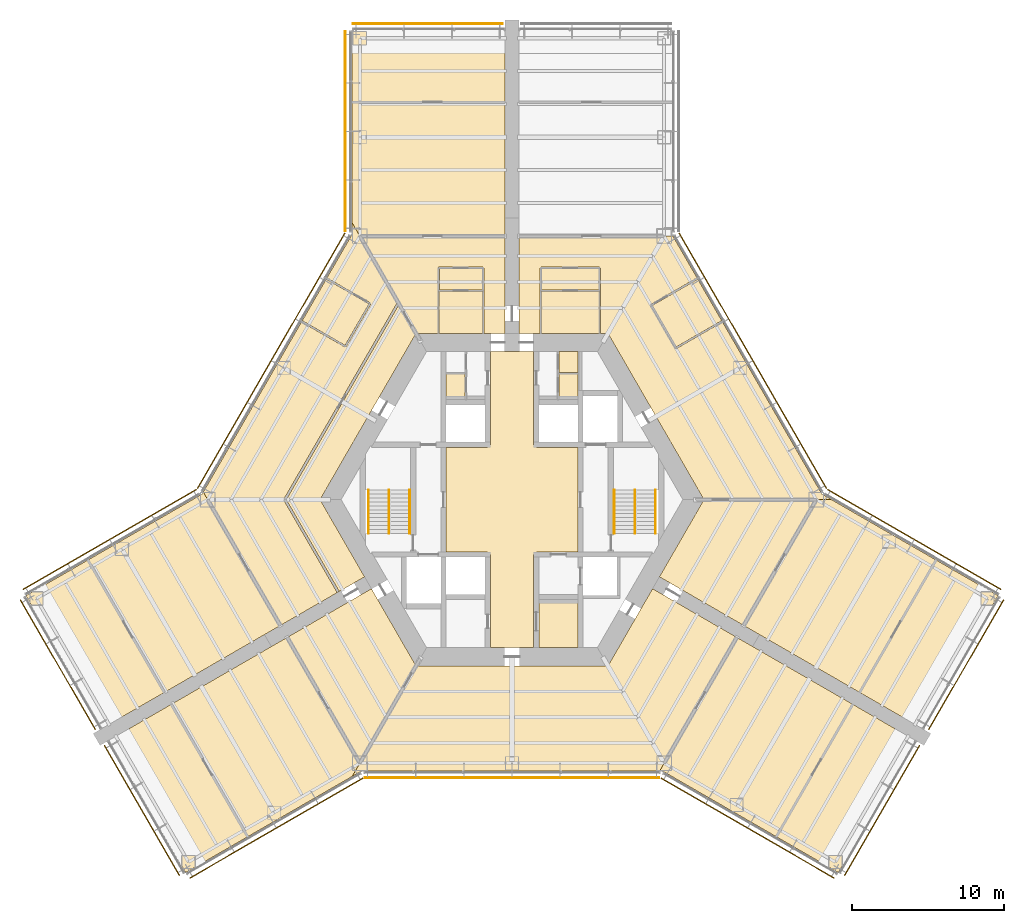
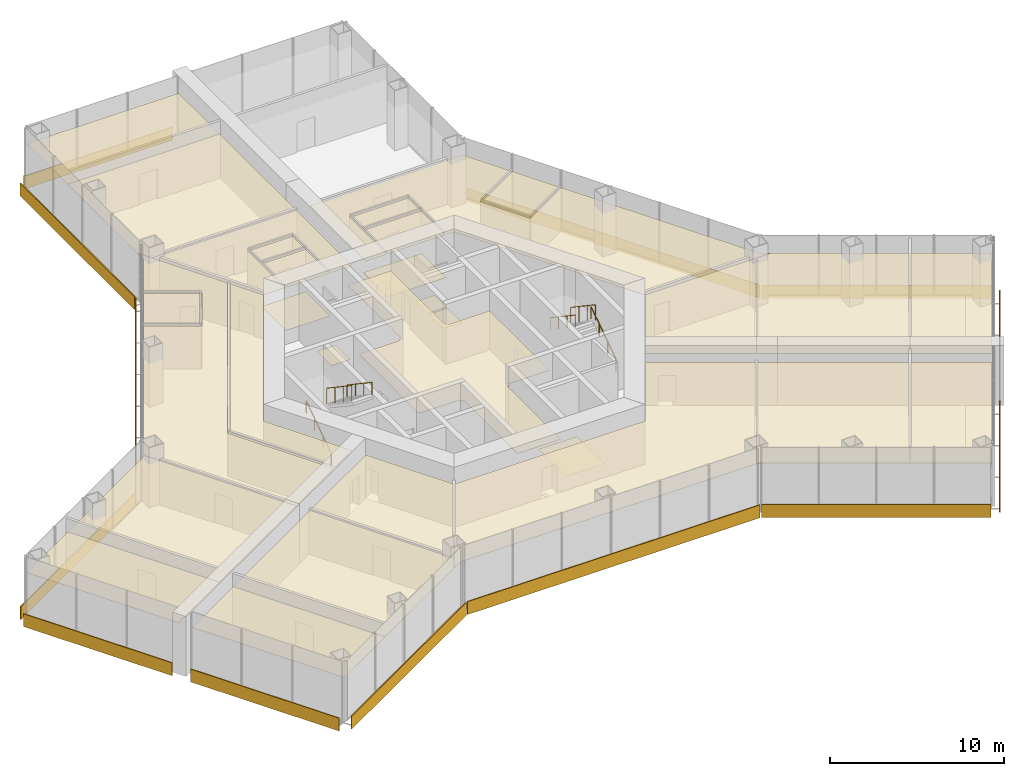
# One storey, part 15 of 16: 30 coverings, 13 shading devices, 6 railings.
"""IFC4 building model written with IfcOpenShell, lengths in metres."""

from ifc_helpers import new_model, si_unit, direction, frame, origin, origin_2d, place, context, subcontext, project, spatial, polyline, rectangle, circle, outline, extrude, material, layer, layer_set, type_object, element, save


model = new_model("IFC4")

# Units and contexts
model_context = context("Model", 3, precision=1e-05, world=origin(), true_north=direction((0.0, 1.0)))
body_context = subcontext(model_context, "Body", "Model", "MODEL_VIEW")
ifc_project = project(units=[si_unit("LENGTHUNIT", "METRE"), si_unit("AREAUNIT", "SQUARE_METRE"), si_unit("VOLUMEUNIT", "CUBIC_METRE"), si_unit("PLANEANGLEUNIT", "RADIAN"), si_unit("MASSUNIT", "GRAM", prefix="KILO")], contexts=[model_context])

# Site, building, storey
site_placement = place(None, origin())
site = spatial("IfcSite", under=ifc_project, at=site_placement, CompositionType="ELEMENT")
building_placement = place(site_placement, origin())
building = spatial("IfcBuilding", under=site, at=building_placement, Name="Kasaneha Research Tower", CompositionType="ELEMENT")
storey_placement = place(building_placement, frame((0.0, 0.0, 14.199951171875)))
storey = spatial("IfcBuildingStorey", under=building, at=storey_placement, Name="L04", CompositionType="ELEMENT", Elevation=14.199951171875)

# Coverings
ifc_material_1 = material(Name="Washable coated ceiling board", Category="gypsum")
ifc_layer_1 = layer(ifc_material_1, 0.02490234375)
ifc_layer_set_1 = layer_set([ifc_layer_1], Name="Laboratory ceiling 25")
covering_type_1 = type_object("IfcCoveringType", Name="Laboratory ceiling 25", PredefinedType="CEILING", material=ifc_layer_set_1)
covering_1_placement = place(storey_placement, frame((0.0, 0.0, 3.0)))
element("IfcCovering", 1, at=covering_1_placement, inside=storey, type_object=covering_type_1, Name="Ceiling L04-27", PredefinedType="CEILING", context=body_context, shape_type="SweptSolid", body=[
    extrude(outline(polyline([(1.949951171875, 10.925048828125), (1.949951171875, 13.675048828125), (5.70703125, 13.675048828125), (5.70703125, 10.925048828125), (1.949951171875, 10.925048828125)])), origin(), (0.0, 0.0, 1.0), 0.025146484375),
])
covering_2_placement = place(storey_placement, frame((0.0, 0.0, 3.0)))
element("IfcCovering", 2, at=covering_2_placement, inside=storey, type_object=covering_type_1, Name="Ceiling L04-28", PredefinedType="CEILING", context=body_context, shape_type="SweptSolid", body=[
    extrude(outline(polyline([(5.70703125, 13.77490234375), (1.949951171875, 13.77490234375), (1.949951171875, 15.175048828125), (5.70703125, 15.175048828125), (5.70703125, 13.77490234375)])), origin(), (0.0, 0.0, 1.0), 0.025146484375),
])
covering_3_placement = place(storey_placement, frame((0.0, 0.0, 3.0)))
element("IfcCovering", 3, at=covering_3_placement, inside=storey, type_object=covering_type_1, Name="Ceiling L04-29", PredefinedType="CEILING", context=body_context, shape_type="SweptSolid", body=[
    extrude(outline(polyline([(13.809814453125, 11.7216796875), (13.79248046875, 11.711669921875), (13.767578125, 11.7548828125), (10.797119140625, 10.0400390625), (9.223876953125, 12.764892578125), (12.202880859375, 14.48486328125), (12.177978515625, 14.5283203125), (12.1865234375, 14.533203125), (13.809814453125, 11.7216796875)])), origin(), (0.0, 0.0, 1.0), 0.025146484375),
])
covering_4_placement = place(storey_placement, frame((0.0, 0.0, 3.0)))
element("IfcCovering", 4, at=covering_4_placement, inside=storey, type_object=covering_type_1, Name="Ceiling L04-30", PredefinedType="CEILING", context=body_context, shape_type="SweptSolid", body=[
    extrude(outline(polyline([(6.3076171875, 10.925048828125), (5.80712890625, 10.925048828125), (5.80712890625, 15.22509765625), (5.757568359375, 15.22509765625), (5.757568359375, 15.225341796875), (5.757080078125, 15.225341796875), (5.757080078125, 15.27490234375), (1.89990234375, 15.27490234375), (1.89990234375, 15.225341796875), (1.899658203125, 15.225341796875), (1.899658203125, 15.22509765625), (1.85009765625, 15.22509765625), (1.85009765625, 10.925048828125), (0.449951171875, 10.925048828125), (0.449951171875, 11.72509765625), (0.449951171875, 12.72509765625), (0.449951171875, 17.320556640625), (10.577392578125, 17.320556640625), (12.186279296875, 14.53369140625), (12.177734375, 14.528564453125), (12.153076171875, 14.571533203125), (9.130615234375, 12.826416015625), (9.1552734375, 12.783447265625), (9.155029296875, 12.783203125), (9.155029296875, 12.782958984375), (9.1123046875, 12.75830078125), (10.7353515625, 9.94677734375), (10.77880859375, 9.9716796875), (10.8037109375, 9.928466796875), (13.8173828125, 11.66845703125), (13.792724609375, 11.711181640625), (13.81005859375, 11.72119140625), (20.365966796875, 0.365966796875), (21.0, 0.0), (12.614990234375, 0.0), (6.3076171875, 10.925048828125)])), origin(), (0.0, 0.0, 1.0), 0.025146484375),
])
covering_5_placement = place(storey_placement, frame((0.0, 0.0, 3.0)))
element("IfcCovering", 5, at=covering_5_placement, inside=storey, type_object=covering_type_1, Name="Ceiling L04-33", PredefinedType="CEILING", context=body_context, shape_type="SweptSolid", body=[
    extrude(outline(polyline([(-4.778564453125, 10.925048828125), (-4.778564453125, 13.675048828125), (-1.949951171875, 13.675048828125), (-1.949951171875, 10.925048828125), (-4.778564453125, 10.925048828125)])), origin(), (0.0, 0.0, 1.0), 0.025146484375),
])
covering_6_placement = place(storey_placement, frame((0.0, 0.0, 3.0)))
element("IfcCovering", 6, at=covering_6_placement, inside=storey, type_object=covering_type_1, Name="Ceiling L04-34", PredefinedType="CEILING", context=body_context, shape_type="SweptSolid", body=[
    extrude(outline(polyline([(-1.949951171875, 15.175048828125), (-1.949951171875, 13.77490234375), (-4.778564453125, 13.77490234375), (-4.778564453125, 15.175048828125), (-1.949951171875, 15.175048828125)])), origin(), (0.0, 0.0, 1.0), 0.025146484375),
])
covering_7_placement = place(storey_placement, frame((0.0, 0.0, 3.0)))
element("IfcCovering", 7, at=covering_7_placement, inside=storey, type_object=covering_type_1, Name="Ceiling L04-35", PredefinedType="CEILING", context=body_context, shape_type="SweptSolid", body=[
    extrude(outline(polyline([(-1.85009765625, 10.925048828125), (-1.85009765625, 15.22509765625), (-1.8994140625, 15.22509765625), (-1.8994140625, 15.22509765625), (-1.8994140625, 15.22509765625), (-1.8994140625, 15.22509765625), (-1.899658203125, 15.22509765625), (-1.899658203125, 15.225341796875), (-1.899658203125, 15.225341796875), (-1.899658203125, 15.225341796875), (-1.899658203125, 15.225341796875), (-1.899658203125, 15.225341796875), (-1.899658203125, 15.225341796875), (-1.899658203125, 15.225341796875), (-1.89990234375, 15.225341796875), (-1.89990234375, 15.2255859375), (-1.89990234375, 15.2255859375), (-1.89990234375, 15.2255859375), (-1.89990234375, 15.2255859375), (-1.89990234375, 15.27490234375), (-4.82861328125, 15.27490234375), (-4.82861328125, 15.2255859375), (-4.82861328125, 15.2255859375), (-4.82861328125, 15.2255859375), (-4.82861328125, 15.2255859375), (-4.828857421875, 15.225341796875), (-4.828857421875, 15.225341796875), (-4.828857421875, 15.225341796875), (-4.828857421875, 15.225341796875), (-4.828857421875, 15.225341796875), (-4.828857421875, 15.225341796875), (-4.8291015625, 15.225341796875), (-4.8291015625, 15.225341796875), (-4.8291015625, 15.22509765625), (-4.8291015625, 15.22509765625), (-4.8291015625, 15.22509765625), (-4.8291015625, 15.22509765625), (-4.8291015625, 15.22509765625), (-4.878662109375, 15.22509765625), (-4.878662109375, 10.925048828125), (-6.3076171875, 10.925048828125), (-7.4189453125, 12.85009765625), (-7.408935546875, 12.867431640625), (-7.439208984375, 12.885009765625), (-10.0, 17.320556640625), (-0.449951171875, 17.320556640625), (-0.449951171875, 12.72509765625), (-0.449951171875, 11.72509765625), (-0.449951171875, 10.925048828125), (-1.85009765625, 10.925048828125)])), origin(), (0.0, 0.0, 1.0), 0.025146484375),
])
covering_8_placement = place(storey_placement, frame((0.0, 0.0, 3.0)))
element("IfcCovering", 8, at=covering_8_placement, inside=storey, type_object=covering_type_1, Name="Ceiling L04-36", PredefinedType="CEILING", context=body_context, shape_type="SweptSolid", body=[
    extrude(outline(polyline([(-10.5, 26.12060546875), (-0.449951171875, 26.12060546875), (-0.449951171875, 17.320556640625), (-10.0, 17.320556640625), (-10.5, 18.1865234375), (-10.5, 26.12060546875)])), origin(), (0.0, 0.0, 1.0), 0.025146484375),
])
covering_9_placement = place(storey_placement, frame((0.0, 0.0, 3.0)))
element("IfcCovering", 9, at=covering_9_placement, inside=storey, type_object=covering_type_1, Name="Ceiling L04-37", PredefinedType="CEILING", context=body_context, shape_type="SweptSolid", body=[
    extrude(outline(polyline([(-0.449951171875, 30.820556640625), (-0.449951171875, 26.12060546875), (-10.5, 26.12060546875), (-10.5, 30.820556640625), (-0.449951171875, 30.820556640625)])), origin(), (0.0, 0.0, 1.0), 0.025146484375),
])
covering_10_placement = place(storey_placement, frame((0.0, 0.0, 3.0)))
element("IfcCovering", 10, at=covering_10_placement, inside=storey, type_object=covering_type_1, Name="Ceiling L04-38", PredefinedType="CEILING", context=body_context, shape_type="SweptSolid", body=[
    extrude(outline(polyline([(-12.614990234375, 0.0), (-9.686279296875, -5.07275390625), (-11.41845703125, -6.07275390625), (-11.428466796875, -6.055419921875), (-11.363525390625, -6.01806640625), (-14.837890625, 0.0), (-7.4189453125, 12.85009765625), (-6.3076171875, 10.925048828125), (-12.614990234375, 0.0)])), origin(), (0.0, 0.0, 1.0), 0.025146484375),
])
covering_11_placement = place(storey_placement, frame((0.0, 0.0, 3.0)))
element("IfcCovering", 11, at=covering_11_placement, inside=storey, type_object=covering_type_1, Name="Ceiling L04-39", PredefinedType="CEILING", context=body_context, shape_type="SweptSolid", body=[
    extrude(outline(polyline([(-12.1865234375, 14.533203125), (-12.177978515625, 14.5283203125), (-12.202880859375, 14.48486328125), (-9.39697265625, 12.864990234375), (-10.97021484375, 10.139892578125), (-13.767578125, 11.7548828125), (-13.79248046875, 11.711669921875), (-13.809814453125, 11.7216796875), (-12.1865234375, 14.533203125)])), origin(), (0.0, 0.0, 1.0), 0.025146484375),
])
covering_12_placement = place(storey_placement, frame((0.0, 0.0, 3.0)))
element("IfcCovering", 12, at=covering_12_placement, inside=storey, type_object=covering_type_1, Name="Ceiling L04-40", PredefinedType="CEILING", context=body_context, shape_type="SweptSolid", body=[
    extrude(outline(polyline([(-14.9248046875, -0.000244140625), (-14.989501953125, -0.03759765625), (-11.493408203125, -6.093017578125), (-11.4287109375, -6.0556640625), (-11.418701171875, -6.072998046875), (-15.22509765625, -8.2705078125), (-20.28857421875, 0.5), (-13.81005859375, 11.72119140625), (-13.792724609375, 11.711181640625), (-13.8173828125, 11.66845703125), (-10.976806640625, 10.0283203125), (-10.9521484375, 10.0712890625), (-10.951904296875, 10.0712890625), (-10.95166015625, 10.071533203125), (-10.90869140625, 10.046630859375), (-9.285400390625, 12.858154296875), (-9.32861328125, 12.88330078125), (-9.3037109375, 12.926513671875), (-12.153076171875, 14.571533203125), (-12.177734375, 14.528564453125), (-12.186279296875, 14.53369140625), (-10.5, 17.45458984375), (-10.5, 18.1865234375), (-7.46240234375, 12.925537109375), (-7.47412109375, 12.9052734375), (-7.538818359375, 12.9423828125), (-14.989501953125, 0.03759765625), (-14.9248046875, 0.000244140625), (-14.925048828125, 0.0), (-14.9248046875, -0.000244140625)])), origin(), (0.0, 0.0, 1.0), 0.025146484375),
])
covering_13_placement = place(storey_placement, frame((0.0, 0.0, 3.0)))
element("IfcCovering", 13, at=covering_13_placement, inside=storey, type_object=covering_type_1, Name="Ceiling L04-41", PredefinedType="CEILING", context=body_context, shape_type="SweptSolid", body=[
    extrude(outline(polyline([(-22.845947265625, -12.670654296875), (-27.87109375, -3.967041015625), (-20.365966796875, 0.365966796875), (-20.28857421875, 0.5), (-15.22509765625, -8.2705078125), (-19.25244140625, -10.595947265625), (-22.845947265625, -12.670654296875)])), origin(), (0.0, 0.0, 1.0), 0.025146484375),
])
covering_14_placement = place(storey_placement, frame((0.0, 0.0, 3.0)))
element("IfcCovering", 14, at=covering_14_placement, inside=storey, type_object=covering_type_1, Name="Ceiling L04-42", PredefinedType="CEILING", context=body_context, shape_type="SweptSolid", body=[
    extrude(outline(polyline([(-26.916259765625, -15.0205078125), (-31.94140625, -6.31689453125), (-27.87109375, -3.967041015625), (-22.845947265625, -12.670654296875), (-23.134521484375, -12.837158203125), (-26.916259765625, -15.0205078125)])), origin(), (0.0, 0.0, 1.0), 0.025146484375),
])
covering_15_placement = place(storey_placement, frame((0.0, 0.0, 3.0)))
element("IfcCovering", 15, at=covering_15_placement, inside=storey, type_object=covering_type_1, Name="Ceiling L04-43", PredefinedType="CEILING", context=body_context, shape_type="SweptSolid", body=[
    extrude(outline(polyline([(-9.236328125, -5.852294921875), (-6.3076171875, -10.925048828125), (-10.0, -17.320556640625), (-14.77490234375, -9.050048828125), (-9.92919921875, -6.252197265625), (-9.92919921875, -6.252197265625), (-9.236328125, -5.852294921875)])), origin(), (0.0, 0.0, 1.0), 0.025146484375),
])
covering_16_placement = place(storey_placement, frame((0.0, 0.0, 3.0)))
element("IfcCovering", 16, at=covering_16_placement, inside=storey, type_object=covering_type_1, Name="Ceiling L04-44", PredefinedType="CEILING", context=body_context, shape_type="SweptSolid", body=[
    extrude(outline(polyline([(-21.44140625, -24.50341796875), (-26.46630859375, -15.800048828125), (-22.39599609375, -13.449951171875), (-17.37109375, -22.153564453125), (-21.44140625, -24.50341796875)])), origin(), (0.0, 0.0, 1.0), 0.025146484375),
])
covering_17_placement = place(storey_placement, frame((0.0, 0.0, 3.0)))
element("IfcCovering", 17, at=covering_17_placement, inside=storey, type_object=covering_type_1, Name="Ceiling L04-45", PredefinedType="CEILING", context=body_context, shape_type="SweptSolid", body=[
    extrude(outline(polyline([(-10.5, -18.1865234375), (-17.37109375, -22.153564453125), (-22.39599609375, -13.449951171875), (-14.77490234375, -9.050048828125), (-10.0, -17.320556640625), (-10.5, -18.1865234375)])), origin(), (0.0, 0.0, 1.0), 0.025146484375),
])
covering_18_placement = place(storey_placement, frame((0.0, 0.0, 3.0)))
element("IfcCovering", 18, at=covering_18_placement, inside=storey, type_object=covering_type_1, Name="Ceiling L04-46", PredefinedType="CEILING", context=body_context, shape_type="SweptSolid", body=[
    extrude(outline(polyline([(11.2451171875, -5.972900390625), (10.379150390625, -5.472900390625), (9.686279296875, -5.07275390625), (12.614990234375, 0.0), (20.0, 0.0), (15.22509765625, -8.2705078125), (14.55810546875, -7.885498046875), (11.2451171875, -5.972900390625)])), origin(), (0.0, 0.0, 1.0), 0.025146484375),
])
covering_19_placement = place(storey_placement, frame((0.0, 0.0, 3.0)))
element("IfcCovering", 19, at=covering_19_placement, inside=storey, type_object=covering_type_1, Name="Ceiling L04-47", PredefinedType="CEILING", context=body_context, shape_type="SweptSolid", body=[
    extrude(outline(polyline([(22.845947265625, -12.670654296875), (27.87109375, -3.967041015625), (31.94140625, -6.31689453125), (26.916259765625, -15.0205078125), (23.134521484375, -12.837158203125), (22.845947265625, -12.670654296875)])), origin(), (0.0, 0.0, 1.0), 0.025146484375),
])
covering_20_placement = place(storey_placement, frame((0.0, 0.0, 3.0)))
element("IfcCovering", 20, at=covering_20_placement, inside=storey, type_object=covering_type_1, Name="Ceiling L04-48", PredefinedType="CEILING", context=body_context, shape_type="SweptSolid", body=[
    extrude(outline(polyline([(15.22509765625, -8.2705078125), (20.0, 0.0), (21.0, 0.0), (27.87109375, -3.967041015625), (22.845947265625, -12.670654296875), (19.25244140625, -10.595947265625), (15.22509765625, -8.2705078125)])), origin(), (0.0, 0.0, 1.0), 0.025146484375),
])
covering_21_placement = place(storey_placement, frame((0.0, 0.0, 3.0)))
element("IfcCovering", 21, at=covering_21_placement, inside=storey, type_object=covering_type_1, Name="Ceiling L04-49", PredefinedType="CEILING", context=body_context, shape_type="SweptSolid", body=[
    extrude(outline(polyline([(-10.5, -18.1865234375), (-6.3076171875, -10.925048828125), (6.3076171875, -10.925048828125), (9.236328125, -5.852294921875), (9.92919921875, -6.252197265625), (9.92919921875, -6.252197265625), (10.909423828125, -6.818359375), (14.77490234375, -9.050048828125), (9.71142578125, -17.820556640625), (-9.865966796875, -17.820556640625), (-10.5, -18.1865234375)])), origin(), (0.0, 0.0, 1.0), 0.025146484375),
])
covering_22_placement = place(storey_placement, frame((0.0, 0.0, 3.0)))
element("IfcCovering", 22, at=covering_22_placement, inside=storey, type_object=covering_type_1, Name="Ceiling L04-50", PredefinedType="CEILING", context=body_context, shape_type="SweptSolid", body=[
    extrude(outline(polyline([(14.77490234375, -9.050048828125), (22.39599609375, -13.449951171875), (17.37109375, -22.153564453125), (9.865966796875, -17.820556640625), (9.71142578125, -17.820556640625), (14.77490234375, -9.050048828125)])), origin(), (0.0, 0.0, 1.0), 0.025146484375),
])
covering_23_placement = place(storey_placement, frame((0.0, 0.0, 3.0)))
element("IfcCovering", 23, at=covering_23_placement, inside=storey, type_object=covering_type_1, Name="Ceiling L04-51", PredefinedType="CEILING", context=body_context, shape_type="SweptSolid", body=[
    extrude(outline(polyline([(21.44140625, -24.50341796875), (17.37109375, -22.153564453125), (22.39599609375, -13.449951171875), (26.46630859375, -15.800048828125), (21.44140625, -24.50341796875)])), origin(), (0.0, 0.0, 1.0), 0.025146484375),
])
ifc_material_2 = material(Name="Aluminium panel ceiling", Category="aluminium")
ifc_layer_2 = layer(ifc_material_2, 0.0400390625)
ifc_layer_set_2 = layer_set([ifc_layer_2], Name="Lift lobby ceiling 40")
covering_type_2 = type_object("IfcCoveringType", Name="Lift lobby ceiling 40", PredefinedType="CEILING", material=ifc_layer_set_2)
covering_24_placement = place(storey_placement, frame((0.0, 0.0, 2.699951171875)))
element("IfcCovering", 24, at=covering_24_placement, inside=storey, type_object=covering_type_2, Name="Ceiling L04-01", PredefinedType="CEILING", context=body_context, shape_type="SweptSolid", body=[
    extrude(outline(polyline([(1.425048828125, 9.72509765625), (1.425048828125, 3.60009765625), (1.60009765625, 3.60009765625), (1.60009765625, 3.425048828125), (4.324951171875, 3.425048828125), (4.324951171875, -3.425048828125), (1.60009765625, -3.425048828125), (1.60009765625, -3.60009765625), (1.425048828125, -3.60009765625), (1.425048828125, -9.72509765625), (-1.425048828125, -9.72509765625), (-1.425048828125, -3.60009765625), (-1.60009765625, -3.60009765625), (-1.60009765625, -3.425048828125), (-4.324951171875, -3.425048828125), (-4.324951171875, 3.425048828125), (-1.60009765625, 3.425048828125), (-1.60009765625, 3.60009765625), (-1.425048828125, 3.60009765625), (-1.425048828125, 9.72509765625), (1.425048828125, 9.72509765625)])), origin(), (0.0, 0.0, 1.0), 0.0400390625),
])

# Railings
ifc_material_3 = material(Name="Steel", Category="steel")
railing_type_1 = type_object("IfcRailingType", Name="Stair balustrade 1100", PredefinedType="GUARDRAIL", material=ifc_material_3)
for number, where, name in (
    (25, (8.074951171875, 0.635009765625, 2.275146484375), "Stair 1 balustrade L04"),
    (26, (-8.074951171875, 0.635009765625, 2.275146484375), "Stair 2 balustrade L04"),
):
    element("IfcRailing", number, at=place(storey_placement, frame(where)), inside=storey, type_object=railing_type_1, Name=name, PredefinedType="GUARDRAIL", context=body_context, shape_type="SweptSolid", body=[
        extrude(circle(Radius=0.02392578125, at=origin_2d()), frame((0.0, 0.0, 1.076171875), z_axis=(0.0, -0.829623704247, 0.558322943601), x_axis=(1.0, 0.0, 0.0)), (0.0, 0.0, 1.0), 3.447509765625),
        extrude(circle(Radius=0.02099609375, at=origin_2d()), origin(), (0.0, 0.0, 1.0), 1.052001953125),
        extrude(circle(Radius=0.02099609375, at=origin_2d()), frame((0.0, -0.953369140625, 0.6416015625)), (0.0, 0.0, 1.0), 1.052001953125),
        extrude(circle(Radius=0.02099609375, at=origin_2d()), frame((0.0, -1.90673828125, 1.283203125)), (0.0, 0.0, 1.0), 1.052001953125),
        extrude(circle(Radius=0.02099609375, at=origin_2d()), frame((0.0, -2.860107421875, 1.9248046875)), (0.0, 0.0, 1.0), 1.052001953125),
    ])
ifc_material_4 = material(Name="Steel", Category="steel")
railing_type_2 = type_object("IfcRailingType", Name="Stair handrail 850", PredefinedType="HANDRAIL", material=ifc_material_4)
railing_1_placement = place(storey_placement, frame((9.425048828125, -2.22509765625, 0.175048828125)))
element("IfcRailing", 27, at=railing_1_placement, inside=storey, type_object=railing_type_2, Name="Stair 1 handrail L04", PredefinedType="HANDRAIL", context=body_context, shape_type="SweptSolid", body=[
    extrude(circle(Radius=0.02392578125, at=origin_2d()), frame((0.0, 0.0, 0.826171875), z_axis=(0.0, 0.829590901723, 0.558371682465), x_axis=(-1.0, 0.0, 0.0)), (0.0, 0.0, 1.0), 3.447509765625),
    extrude(circle(Radius=0.02099609375, at=origin_2d()), origin(), (0.0, 0.0, 1.0), 0.802001953125),
    extrude(circle(Radius=0.02099609375, at=origin_2d()), frame((0.0, 0.953369140625, 0.6416015625)), (0.0, 0.0, 1.0), 0.802001953125),
    extrude(circle(Radius=0.02099609375, at=origin_2d()), frame((0.0, 1.90673828125, 1.283447265625)), (0.0, 0.0, 1.0), 0.802001953125),
    extrude(circle(Radius=0.02099609375, at=origin_2d()), frame((0.0, 2.860107421875, 1.925048828125)), (0.0, 0.0, 1.0), 0.802001953125),
])
railing_2_placement = place(storey_placement, frame((6.72509765625, 0.635009765625, 2.275146484375)))
element("IfcRailing", 28, at=railing_2_placement, inside=storey, type_object=railing_type_2, Name="Stair 1 handrail L04", PredefinedType="HANDRAIL", context=body_context, shape_type="SweptSolid", body=[
    extrude(circle(Radius=0.02392578125, at=origin_2d()), frame((0.0, 0.0, 0.826171875), z_axis=(0.0, -0.829623704247, 0.558322943601), x_axis=(1.0, 0.0, 0.0)), (0.0, 0.0, 1.0), 3.447509765625),
    extrude(circle(Radius=0.02099609375, at=origin_2d()), origin(), (0.0, 0.0, 1.0), 0.802001953125),
    extrude(circle(Radius=0.02099609375, at=origin_2d()), frame((0.0, -0.953369140625, 0.6416015625)), (0.0, 0.0, 1.0), 0.802001953125),
    extrude(circle(Radius=0.02099609375, at=origin_2d()), frame((0.0, -1.90673828125, 1.283203125)), (0.0, 0.0, 1.0), 0.802001953125),
    extrude(circle(Radius=0.02099609375, at=origin_2d()), frame((0.0, -2.860107421875, 1.9248046875)), (0.0, 0.0, 1.0), 0.802001953125),
])
railing_3_placement = place(storey_placement, frame((-9.425048828125, -2.22509765625, 0.175048828125)))
element("IfcRailing", 29, at=railing_3_placement, inside=storey, type_object=railing_type_2, Name="Stair 2 handrail L04", PredefinedType="HANDRAIL", context=body_context, shape_type="SweptSolid", body=[
    extrude(circle(Radius=0.02392578125, at=origin_2d()), frame((0.0, 0.0, 0.826171875), z_axis=(0.0, 0.829590901723, 0.558371682465), x_axis=(-1.0, 0.0, 0.0)), (0.0, 0.0, 1.0), 3.447509765625),
    extrude(circle(Radius=0.02099609375, at=origin_2d()), origin(), (0.0, 0.0, 1.0), 0.802001953125),
    extrude(circle(Radius=0.02099609375, at=origin_2d()), frame((0.0, 0.953369140625, 0.6416015625)), (0.0, 0.0, 1.0), 0.802001953125),
    extrude(circle(Radius=0.02099609375, at=origin_2d()), frame((0.0, 1.90673828125, 1.283447265625)), (0.0, 0.0, 1.0), 0.802001953125),
    extrude(circle(Radius=0.02099609375, at=origin_2d()), frame((0.0, 2.860107421875, 1.925048828125)), (0.0, 0.0, 1.0), 0.802001953125),
])
railing_4_placement = place(storey_placement, frame((-6.72509765625, 0.635009765625, 2.275146484375)))
element("IfcRailing", 30, at=railing_4_placement, inside=storey, type_object=railing_type_2, Name="Stair 2 handrail L04", PredefinedType="HANDRAIL", context=body_context, shape_type="SweptSolid", body=[
    extrude(circle(Radius=0.02392578125, at=origin_2d()), frame((0.0, 0.0, 0.826171875), z_axis=(0.0, -0.829623704247, 0.558322943601), x_axis=(1.0, 0.0, 0.0)), (0.0, 0.0, 1.0), 3.447509765625),
    extrude(circle(Radius=0.02099609375, at=origin_2d()), origin(), (0.0, 0.0, 1.0), 0.802001953125),
    extrude(circle(Radius=0.02099609375, at=origin_2d()), frame((0.0, -0.953369140625, 0.6416015625)), (0.0, 0.0, 1.0), 0.802001953125),
    extrude(circle(Radius=0.02099609375, at=origin_2d()), frame((0.0, -1.90673828125, 1.283203125)), (0.0, 0.0, 1.0), 0.802001953125),
    extrude(circle(Radius=0.02099609375, at=origin_2d()), frame((0.0, -2.860107421875, 1.9248046875)), (0.0, 0.0, 1.0), 0.802001953125),
])

# Shading devices
ifc_material_5 = material(Name="Terracotta", Category="masonry")
ifc_layer_3 = layer(ifc_material_5, 0.06005859375)
ifc_layer_set_3 = layer_set([ifc_layer_3], Name="Terracotta baguette screen")
shading_device_type = type_object("IfcShadingDeviceType", Name="Terracotta baguette screen", PredefinedType="USERDEFINED", material=ifc_layer_set_3)
shading_device_1_placement = place(storey_placement, frame((-15.483642578125, -21.58349609375, -0.449951171875), z_axis=(0.0, 0.0, 1.0), x_axis=(0.866025411464, 0.499999986699, 0.0)))
element("IfcShadingDevice", 31, at=shading_device_1_placement, inside=storey, type_object=shading_device_type, Name="Baguette screen L04 01", ObjectType="TERRACOTTA BAGUETTE SCREEN", PredefinedType="USERDEFINED", context=body_context, shape_type="SweptSolid", body=[
    extrude(rectangle(XDim=13.13916015625, YDim=0.06005859375, at=origin_2d()), origin(), (0.0, 0.0, 1.0), 0.89990234375),
])
shading_device_2_placement = place(storey_placement, frame((0.0, -18.2705078125, -0.449951171875), z_axis=(0.0, 0.0, 1.0), x_axis=(1.0, 0.0, 0.0)))
element("IfcShadingDevice", 32, at=shading_device_2_placement, inside=storey, type_object=shading_device_type, Name="Baguette screen L04 02", ObjectType="TERRACOTTA BAGUETTE SCREEN", PredefinedType="USERDEFINED", context=body_context, shape_type="SweptSolid", body=[
    extrude(rectangle(XDim=19.37841796875, YDim=0.06005859375, at=origin_2d()), origin(), (0.0, 0.0, 1.0), 0.89990234375),
])
shading_device_3_placement = place(storey_placement, frame((15.483642578125, -21.58349609375, -0.449951171875), z_axis=(0.0, 0.0, 1.0), x_axis=(0.866025411464, -0.499999986699, 0.0)))
element("IfcShadingDevice", 33, at=shading_device_3_placement, inside=storey, type_object=shading_device_type, Name="Baguette screen L04 03", ObjectType="TERRACOTTA BAGUETTE SCREEN", PredefinedType="USERDEFINED", context=body_context, shape_type="SweptSolid", body=[
    extrude(rectangle(XDim=13.13916015625, YDim=0.06005859375, at=origin_2d()), origin(), (0.0, 0.0, 1.0), 0.89990234375),
])
for number, where, z_axis, x_axis, name in (
    (34, (24.318603515625, -20.420166015625, -0.449951171875), (0.0, 0.0, 1.0), (0.500000011442, 0.866025397178, 0.0), "Baguette screen L04 04"),
    (35, (29.843505859375, -10.850341796875, -0.449951171875), (0.0, 0.0, 1.0), (0.500000011442, 0.866025397178, 0.0), "Baguette screen L04 05"),
):
    element("IfcShadingDevice", number, at=place(storey_placement, frame(where, z_axis=z_axis, x_axis=x_axis)), inside=storey, type_object=shading_device_type, Name=name, ObjectType="TERRACOTTA BAGUETTE SCREEN", PredefinedType="USERDEFINED", context=body_context, shape_type="SweptSolid", body=[
        extrude(rectangle(XDim=9.85009765625, YDim=0.06005859375, at=origin_2d()), origin(), (0.0, 0.0, 1.0), 0.89990234375),
    ])
shading_device_4_placement = place(storey_placement, frame((26.43359375, -2.617431640625, -0.449951171875), z_axis=(0.0, 0.0, 1.0), x_axis=(-0.866025411464, 0.499999986699, 0.0)))
element("IfcShadingDevice", 36, at=shading_device_4_placement, inside=storey, type_object=shading_device_type, Name="Baguette screen L04 06", ObjectType="TERRACOTTA BAGUETTE SCREEN", PredefinedType="USERDEFINED", context=body_context, shape_type="SweptSolid", body=[
    extrude(rectangle(XDim=13.13916015625, YDim=0.06005859375, at=origin_2d()), origin(), (0.0, 0.0, 1.0), 0.89990234375),
])
shading_device_5_placement = place(storey_placement, frame((15.82275390625, 9.13525390625, -0.449951171875), z_axis=(0.0, 0.0, 1.0), x_axis=(-0.49999996188, 0.866025425793, 0.0)))
element("IfcShadingDevice", 37, at=shading_device_5_placement, inside=storey, type_object=shading_device_type, Name="Baguette screen L04 07", ObjectType="TERRACOTTA BAGUETTE SCREEN", PredefinedType="USERDEFINED", context=body_context, shape_type="SweptSolid", body=[
    extrude(rectangle(XDim=19.37841796875, YDim=0.06005859375, at=origin_2d()), origin(), (0.0, 0.0, 1.0), 0.89990234375),
])
shading_device_6_placement = place(storey_placement, frame((-5.52490234375, 31.2705078125, -0.449951171875), z_axis=(0.0, 0.0, 1.0), x_axis=(-1.0, 0.0, 0.0)))
element("IfcShadingDevice", 38, at=shading_device_6_placement, inside=storey, type_object=shading_device_type, Name="Baguette screen L04 10", ObjectType="TERRACOTTA BAGUETTE SCREEN", PredefinedType="USERDEFINED", context=body_context, shape_type="SweptSolid", body=[
    extrude(rectangle(XDim=9.85009765625, YDim=0.06005859375, at=origin_2d()), origin(), (0.0, 0.0, 1.0), 0.89990234375),
])
shading_device_7_placement = place(storey_placement, frame((-10.949951171875, 24.200927734375, -0.449951171875), z_axis=(0.0, 0.0, 1.0), x_axis=(0.0, -1.0, 0.0)))
element("IfcShadingDevice", 39, at=shading_device_7_placement, inside=storey, type_object=shading_device_type, Name="Baguette screen L04 11", ObjectType="TERRACOTTA BAGUETTE SCREEN", PredefinedType="USERDEFINED", context=body_context, shape_type="SweptSolid", body=[
    extrude(rectangle(XDim=13.13916015625, YDim=0.06005859375, at=origin_2d()), origin(), (0.0, 0.0, 1.0), 0.89990234375),
])
shading_device_8_placement = place(storey_placement, frame((-15.82275390625, 9.13525390625, -0.449951171875), z_axis=(0.0, 0.0, 1.0), x_axis=(-0.49999996188, -0.866025425793, 0.0)))
element("IfcShadingDevice", 40, at=shading_device_8_placement, inside=storey, type_object=shading_device_type, Name="Baguette screen L04 12", ObjectType="TERRACOTTA BAGUETTE SCREEN", PredefinedType="USERDEFINED", context=body_context, shape_type="SweptSolid", body=[
    extrude(rectangle(XDim=19.37841796875, YDim=0.06005859375, at=origin_2d()), origin(), (0.0, 0.0, 1.0), 0.89990234375),
])
shading_device_9_placement = place(storey_placement, frame((-26.43359375, -2.617431640625, -0.449951171875), z_axis=(0.0, 0.0, 1.0), x_axis=(-0.866025411464, -0.499999986699, 0.0)))
element("IfcShadingDevice", 41, at=shading_device_9_placement, inside=storey, type_object=shading_device_type, Name="Baguette screen L04 13", ObjectType="TERRACOTTA BAGUETTE SCREEN", PredefinedType="USERDEFINED", context=body_context, shape_type="SweptSolid", body=[
    extrude(rectangle(XDim=13.13916015625, YDim=0.06005859375, at=origin_2d()), origin(), (0.0, 0.0, 1.0), 0.89990234375),
])
for number, where, z_axis, x_axis, name in (
    (42, (-29.843505859375, -10.850341796875, -0.449951171875), (0.0, 0.0, 1.0), (0.500000011442, -0.866025397178, 0.0), "Baguette screen L04 14"),
    (43, (-24.318603515625, -20.420166015625, -0.449951171875), (0.0, 0.0, 1.0), (0.500000011442, -0.866025397178, 0.0), "Baguette screen L04 15"),
):
    element("IfcShadingDevice", number, at=place(storey_placement, frame(where, z_axis=z_axis, x_axis=x_axis)), inside=storey, type_object=shading_device_type, Name=name, ObjectType="TERRACOTTA BAGUETTE SCREEN", PredefinedType="USERDEFINED", context=body_context, shape_type="SweptSolid", body=[
        extrude(rectangle(XDim=9.85009765625, YDim=0.06005859375, at=origin_2d()), origin(), (0.0, 0.0, 1.0), 0.89990234375),
    ])

# Coverings
ifc_material_6 = material(Name="Vinyl sheet flooring", Category="plastic")
ifc_layer_4 = layer(ifc_material_6, 0.0048828125)
ifc_layer_set_4 = layer_set([ifc_layer_4], Name="Wet room sheet flooring 5")
covering_type_3 = type_object("IfcCoveringType", Name="Wet room sheet flooring 5", PredefinedType="FLOORING", material=ifc_layer_set_4)
covering_25_placement = place(storey_placement, origin())
element("IfcCovering", 44, at=covering_25_placement, inside=storey, type_object=covering_type_3, Name="Floor finish L04-07", PredefinedType="FLOORING", context=body_context, shape_type="SweptSolid", body=[
    extrude(outline(polyline([(-4.324951171875, 6.574951171875), (-4.324951171875, 8.25), (-3.074951171875, 8.25), (-3.074951171875, 6.574951171875), (-4.324951171875, 6.574951171875)])), origin(), (0.0, 0.0, 1.0), 0.005126953125),
])
covering_26_placement = place(storey_placement, origin())
element("IfcCovering", 45, at=covering_26_placement, inside=storey, type_object=covering_type_3, Name="Floor finish L04-10", PredefinedType="FLOORING", context=body_context, shape_type="SweptSolid", body=[
    extrude(outline(polyline([(3.074951171875, 6.574951171875), (3.074951171875, 8.25), (4.324951171875, 8.25), (4.324951171875, 7.0), (4.324951171875, 6.574951171875), (3.074951171875, 6.574951171875)])), origin(), (0.0, 0.0, 1.0), 0.005126953125),
])
covering_27_placement = place(storey_placement, origin())
element("IfcCovering", 46, at=covering_27_placement, inside=storey, type_object=covering_type_3, Name="Floor finish L04-11", PredefinedType="FLOORING", context=body_context, shape_type="SweptSolid", body=[
    extrude(outline(polyline([(4.324951171875, 8.35009765625), (3.074951171875, 8.35009765625), (3.074951171875, 9.72509765625), (4.324951171875, 9.72509765625), (4.324951171875, 8.35009765625)])), origin(), (0.0, 0.0, 1.0), 0.005126953125),
])
covering_28_placement = place(storey_placement, origin())
element("IfcCovering", 47, at=covering_28_placement, inside=storey, type_object=covering_type_3, Name="Floor finish L04-13", PredefinedType="FLOORING", context=body_context, shape_type="SweptSolid", body=[
    extrude(outline(polyline([(1.77490234375, -9.72509765625), (1.77490234375, -6.574951171875), (4.324951171875, -6.574951171875), (4.324951171875, -9.72509765625), (1.77490234375, -9.72509765625)])), origin(), (0.0, 0.0, 1.0), 0.005126953125),
])
covering_29_placement = place(storey_placement, origin())
element("IfcCovering", 48, at=covering_29_placement, inside=storey, type_object=covering_type_3, Name="Floor finish L04-27", PredefinedType="FLOORING", context=body_context, shape_type="SweptSolid", body=[
    extrude(outline(polyline([(1.89990234375, 13.72509765625), (5.757080078125, 13.72509765625), (5.757080078125, 10.925048828125), (1.89990234375, 10.925048828125), (1.89990234375, 13.72509765625)])), origin(), (0.0, 0.0, 1.0), 0.005126953125),
])
covering_30_placement = place(storey_placement, origin())
element("IfcCovering", 49, at=covering_30_placement, inside=storey, type_object=covering_type_3, Name="Floor finish L04-33", PredefinedType="FLOORING", context=body_context, shape_type="SweptSolid", body=[
    extrude(outline(polyline([(-4.82861328125, 10.925048828125), (-4.82861328125, 13.72509765625), (-1.89990234375, 13.72509765625), (-1.89990234375, 10.925048828125), (-4.82861328125, 10.925048828125)])), origin(), (0.0, 0.0, 1.0), 0.005126953125),
])

save(model, "model.ifc")
